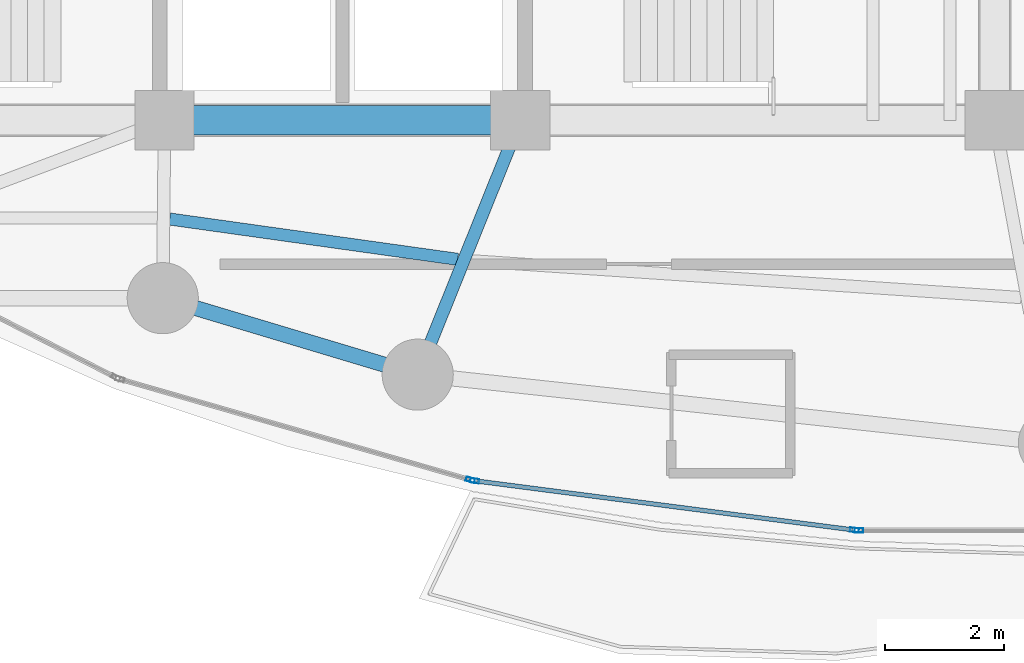
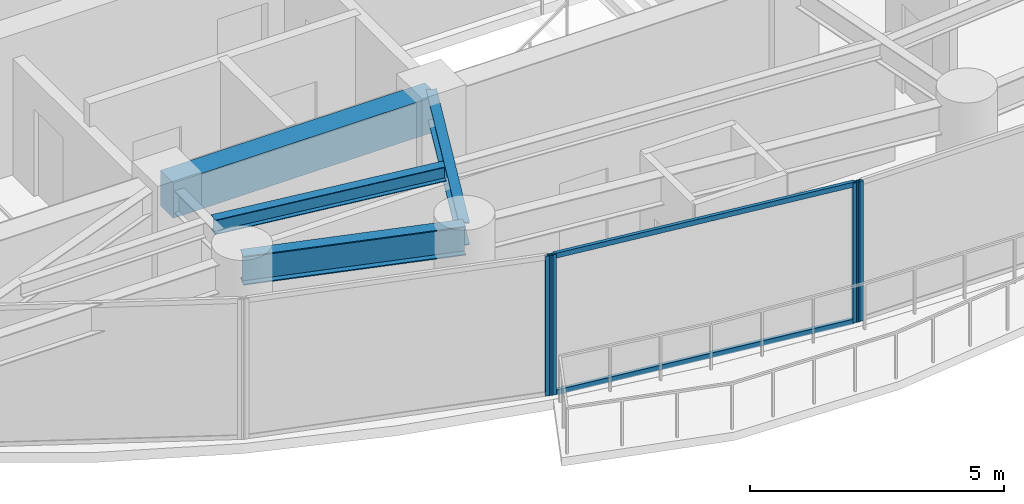
# One storey, part 5 of 28: 6 members, 4 beams, 3 elements without a shape of their own.
"""IFC4 building model written with IfcOpenShell, lengths in metres."""

from ifc_helpers import new_model, si_unit, direction, frame, origin, origin_2d, place, context, subcontext, project, spatial, rectangle, hollow_rectangle, i_section, extrude, material, layer, layer_set, material_profile, profile_set, type_object, element, aggregate, save


model = new_model("IFC4")

# Units and contexts
model_context = context("Model", 3, precision=1e-05, world=origin(), true_north=direction((0.0, 1.0)))
body_context = subcontext(model_context, "Body", "Model", "MODEL_VIEW")
ifc_project = project(units=[si_unit("LENGTHUNIT", "METRE"), si_unit("AREAUNIT", "SQUARE_METRE"), si_unit("VOLUMEUNIT", "CUBIC_METRE"), si_unit("PLANEANGLEUNIT", "RADIAN"), si_unit("MASSUNIT", "GRAM", prefix="KILO")], contexts=[model_context])

# Site, building, storey
site_placement = place(None, origin())
site = spatial("IfcSite", under=ifc_project, at=site_placement, CompositionType="ELEMENT")
building_placement = place(site_placement, origin())
building = spatial("IfcBuilding", under=site, at=building_placement, Name="Kazevale Care Tower and Concert Hall", CompositionType="ELEMENT")
storey_placement = place(building_placement, frame((0.0, 0.0, 138.60009765625)))
storey = spatial("IfcBuildingStorey", under=building, at=storey_placement, Name="L36", CompositionType="ELEMENT", Elevation=138.60009765625)

# Curtain wall, member
ifc_material_1 = material(Name="Aluminium 6063-T6 and Low-E Glass", Category="aluminium")
ifc_layer = layer(ifc_material_1, 0.179931640625)
ifc_layer_set = layer_set([ifc_layer], Name="Aluminium 6063-T6 and Low-E Glass")
curtain_wall_type = type_object("IfcCurtainWallType", Name="Sheltered Concave Balcony Curtain Wall CW-5", PredefinedType="NOTDEFINED", material=ifc_layer_set)
curtain_wall_1_placement = place(storey_placement, origin())
curtain_wall_1 = element("IfcCurtainWall", 1, at=curtain_wall_1_placement, inside=storey, type_object=curtain_wall_type, Name="cw:L36:f06", PredefinedType="NOTDEFINED")
ifc_material_2 = material(Name="Aluminium 6063-T6", Category="aluminium")
ifc_material_profile_1 = material_profile(ifc_material_2, hollow_rectangle(XDim=0.074951171875, YDim=0.14990234375, WallThickness=0.00390625, at=origin_2d()), Name="ALU75x150x4")
ifc_profile_set_1 = profile_set([ifc_material_profile_1], Name="Aluminium 6063-T6")
member_type_1 = type_object("IfcMemberType", Name="CW-5 Mullion ALU75x150x4", PredefinedType="MULLION", material=ifc_profile_set_1)
member_1_placement = place(storey_placement, frame((41.71240234375, 16.68408203125, 0.0), z_axis=(0.0, 0.0, 1.0), x_axis=(0.0, -1.0, 0.0)))
member_1 = element("IfcMember", 2, at=member_1_placement, type_object=member_type_1, Name="CW-5 mullion 2", PredefinedType="MULLION", context=body_context, shape_type="SweptSolid", body=[
    extrude(hollow_rectangle(XDim=0.074951171875, YDim=0.14990234375, WallThickness=0.00390625, at=origin_2d()), origin(), (0.0, 0.0, 1.0), 3.35986328125),
])
aggregate(curtain_wall_1, [member_1])

# Curtain wall, members
curtain_wall_2_placement = place(storey_placement, origin())
curtain_wall_2 = element("IfcCurtainWall", 3, at=curtain_wall_2_placement, inside=storey, type_object=curtain_wall_type, Name="cw:L36:f07", PredefinedType="NOTDEFINED")
member_2_placement = place(storey_placement, frame((41.6376953125, 16.688720703125, 0.0), z_axis=(0.0, 0.0, 1.0), x_axis=(-0.12868500567, -0.991685519364, 0.0)))
member_2 = element("IfcMember", 4, at=member_2_placement, type_object=member_type_1, Name="CW-5 mullion 1", PredefinedType="MULLION", context=body_context, shape_type="SweptSolid", body=[
    extrude(hollow_rectangle(XDim=0.074951171875, YDim=0.14990234375, WallThickness=0.00390625, at=origin_2d()), origin(), (0.0, 0.0, 1.0), 3.35986328125),
])
member_3_placement = place(storey_placement, frame((35.231201171875, 17.520263671875, 0.0), z_axis=(0.0, 0.0, 1.0), x_axis=(-0.12868500567, -0.991685519364, 0.0)))
member_3 = element("IfcMember", 5, at=member_3_placement, type_object=member_type_1, Name="CW-5 mullion 2", PredefinedType="MULLION", context=body_context, shape_type="SweptSolid", body=[
    extrude(hollow_rectangle(XDim=0.074951171875, YDim=0.14990234375, WallThickness=0.00390625, at=origin_2d()), origin(), (0.0, 0.0, 1.0), 3.35986328125),
])

# Curtain wall, member
curtain_wall_3_placement = place(storey_placement, origin())
curtain_wall_3 = element("IfcCurtainWall", 6, at=curtain_wall_3_placement, inside=storey, type_object=curtain_wall_type, Name="cw:L36:f08", PredefinedType="NOTDEFINED")
member_4_placement = place(storey_placement, frame((35.157958984375, 17.535400390625, 0.0), z_axis=(0.0, 0.0, 1.0), x_axis=(-0.276290733172, -0.961074102639, 0.0)))
member_4 = element("IfcMember", 7, at=member_4_placement, type_object=member_type_1, Name="CW-5 mullion 1", PredefinedType="MULLION", context=body_context, shape_type="SweptSolid", body=[
    extrude(hollow_rectangle(XDim=0.074951171875, YDim=0.14990234375, WallThickness=0.00390625, at=origin_2d()), origin(), (0.0, 0.0, 1.0), 3.35986328125),
])
aggregate(curtain_wall_3, [member_4])

# Member
ifc_material_profile_2 = material_profile(ifc_material_2, hollow_rectangle(XDim=0.074951171875, YDim=0.1201171875, WallThickness=0.00390625, at=origin_2d()), Name="ALU75x120x4")
ifc_profile_set_2 = profile_set([ifc_material_profile_2], Name="Aluminium 6063-T6")
member_type_2 = type_object("IfcMemberType", Name="CW-5 Transom ALU75x120x4", PredefinedType="USERDEFINED", material=ifc_profile_set_2)
member_5_placement = place(storey_placement, frame((41.6005859375, 16.693603515625, 0.037353515625), z_axis=(-0.991683991743, 0.12869677743, 0.0), x_axis=(-0.12869677743, -0.991683991743, 0.0)))
member_5 = element("IfcMember", 8, at=member_5_placement, type_object=member_type_2, Name="CW-5 transom 1.1", ObjectType="TRANSOM", PredefinedType="USERDEFINED", context=body_context, shape_type="SweptSolid", body=[
    extrude(hollow_rectangle(XDim=0.074951171875, YDim=0.1201171875, WallThickness=0.00390625, at=origin_2d()), origin(), (0.0, 0.0, 1.0), 6.385498046875),
])

member_6_placement = place(storey_placement, frame((41.6005859375, 16.693603515625, 3.322509765625), z_axis=(-0.991683991743, 0.12869677743, 0.0), x_axis=(-0.12869677743, -0.991683991743, 0.0)))
member_6 = element("IfcMember", 9, at=member_6_placement, type_object=member_type_2, Name="CW-5 transom 1.2", ObjectType="TRANSOM", PredefinedType="USERDEFINED", context=body_context, shape_type="SweptSolid", body=[
    extrude(hollow_rectangle(XDim=0.074951171875, YDim=0.1201171875, WallThickness=0.00390625, at=origin_2d()), origin(), (0.0, 0.0, 1.0), 6.385498046875),
])

aggregate(curtain_wall_2, [member_2, member_3, member_5, member_6])

# Beams
ifc_material_3 = material(Name="Concrete C60", Category="concrete")
ifc_material_profile_3 = material_profile(ifc_material_3, rectangle(XDim=0.5, YDim=0.85009765625, at=origin_2d()), Name="RC-B500x850")
ifc_profile_set_3 = profile_set([ifc_material_profile_3], Name="Concrete C60")
beam_type_1 = type_object("IfcBeamType", Name="Core Coupling Beam RC500x850", PredefinedType="LINTEL", material=ifc_profile_set_3)
beam_1_placement = place(storey_placement, frame((30.0, 23.60009765625, 2.934814453125), z_axis=(1.0, 0.0, 0.0), x_axis=(0.0, 1.0, 0.0)))
element("IfcBeam", 10, at=beam_1_placement, inside=storey, type_object=beam_type_1, Name="beam:L36:coretie:2", PredefinedType="LINTEL", context=body_context, shape_type="SweptSolid", body=[
    extrude(rectangle(XDim=0.5, YDim=0.85009765625, at=origin_2d()), origin(), (0.0, 0.0, 1.0), 6.0),
])
ifc_material_4 = material(Name="Steel ASTM A572 Gr 50", Category="steel")
ifc_material_profile_4 = material_profile(ifc_material_4, i_section(OverallWidth=0.2119140625, OverallDepth=0.5439453125, WebThickness=0.01318359375, FlangeThickness=0.021240234375, at=origin_2d()), Name="W530x123")
ifc_profile_set_4 = profile_set([ifc_material_profile_4], Name="Steel ASTM A572 Gr 50")
beam_type_2 = type_object("IfcBeamType", Name="Radial Floor Girder W530x123", PredefinedType="BEAM", material=ifc_profile_set_4)
beam_2_placement = place(storey_placement, frame((36.0, 23.60009765625, 3.087890625), z_axis=(-0.373991766452, -0.927432023722, 0.0), x_axis=(0.927432023722, -0.373991766452, 0.0)))
element("IfcBeam", 11, at=beam_2_placement, inside=storey, type_object=beam_type_2, Name="beam:L36:rad:12", PredefinedType="BEAM", context=body_context, shape_type="SweptSolid", body=[
    extrude(i_section(OverallWidth=0.2119140625, OverallDepth=0.5439453125, WebThickness=0.01318359375, FlangeThickness=0.021240234375, at=origin_2d()), origin(), (0.0, 0.0, 1.0), 4.625732421875),
])
ifc_material_profile_5 = material_profile(ifc_material_4, i_section(OverallWidth=0.205078125, OverallDepth=0.35400390625, WebThickness=0.009521484375, FlangeThickness=0.016845703125, at=origin_2d()), Name="W360x79")
ifc_profile_set_5 = profile_set([ifc_material_profile_5], Name="Steel ASTM A572 Gr 50")
beam_type_3 = type_object("IfcBeamType", Name="Secondary Floor Joist W360x79", PredefinedType="JOIST", material=ifc_profile_set_5)
beam_3_placement = place(storey_placement, frame((30.0869140625, 21.93505859375, 3.182861328125), z_axis=(0.990340789942, -0.138654678164, 0.0), x_axis=(0.138654678164, 0.990340789942, 0.0)))
element("IfcBeam", 12, at=beam_3_placement, inside=storey, type_object=beam_type_3, Name="beam:L36:joist:11", PredefinedType="JOIST", context=body_context, shape_type="SweptSolid", body=[
    extrude(i_section(OverallWidth=0.205078125, OverallDepth=0.35400390625, WebThickness=0.009521484375, FlangeThickness=0.016845703125, at=origin_2d()), origin(), (0.0, 0.0, 1.0), 4.905517578125),
])
ifc_material_profile_6 = material_profile(ifc_material_4, i_section(OverallWidth=0.256103515625, OverallDepth=0.693115234375, WebThickness=0.014404296875, FlangeThickness=0.023681640625, at=origin_2d()), Name="W690x170")
ifc_profile_set_6 = profile_set([ifc_material_profile_6], Name="Steel ASTM A572 Gr 50")
beam_type_4 = type_object("IfcBeamType", Name="Waist Ring Beam W690x170", PredefinedType="BEAM", material=ifc_profile_set_6)
beam_4_placement = place(storey_placement, frame((29.969970703125, 20.60009765625, 3.013427734375), z_axis=(0.957824788464, -0.287352874709, 0.0), x_axis=(0.287352874709, 0.957824788464, 0.0)))
element("IfcBeam", 13, at=beam_4_placement, inside=storey, type_object=beam_type_4, Name="beam:L36:ring:11", PredefinedType="BEAM", context=body_context, shape_type="SweptSolid", body=[
    extrude(i_section(OverallWidth=0.256103515625, OverallDepth=0.693115234375, WebThickness=0.014404296875, FlangeThickness=0.023681640625, at=origin_2d()), origin(), (0.0, 0.0, 1.0), 4.489501953125),
])

save(model, "model.ifc")
